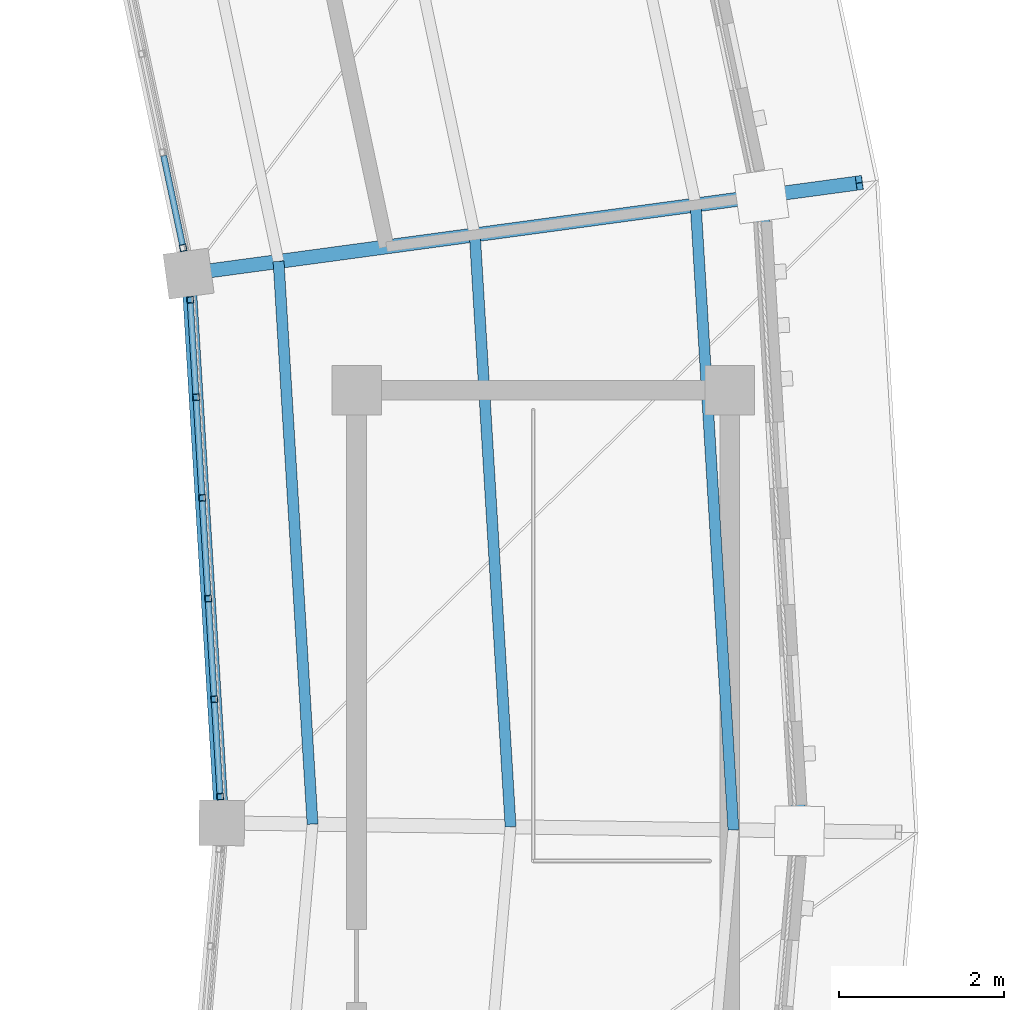
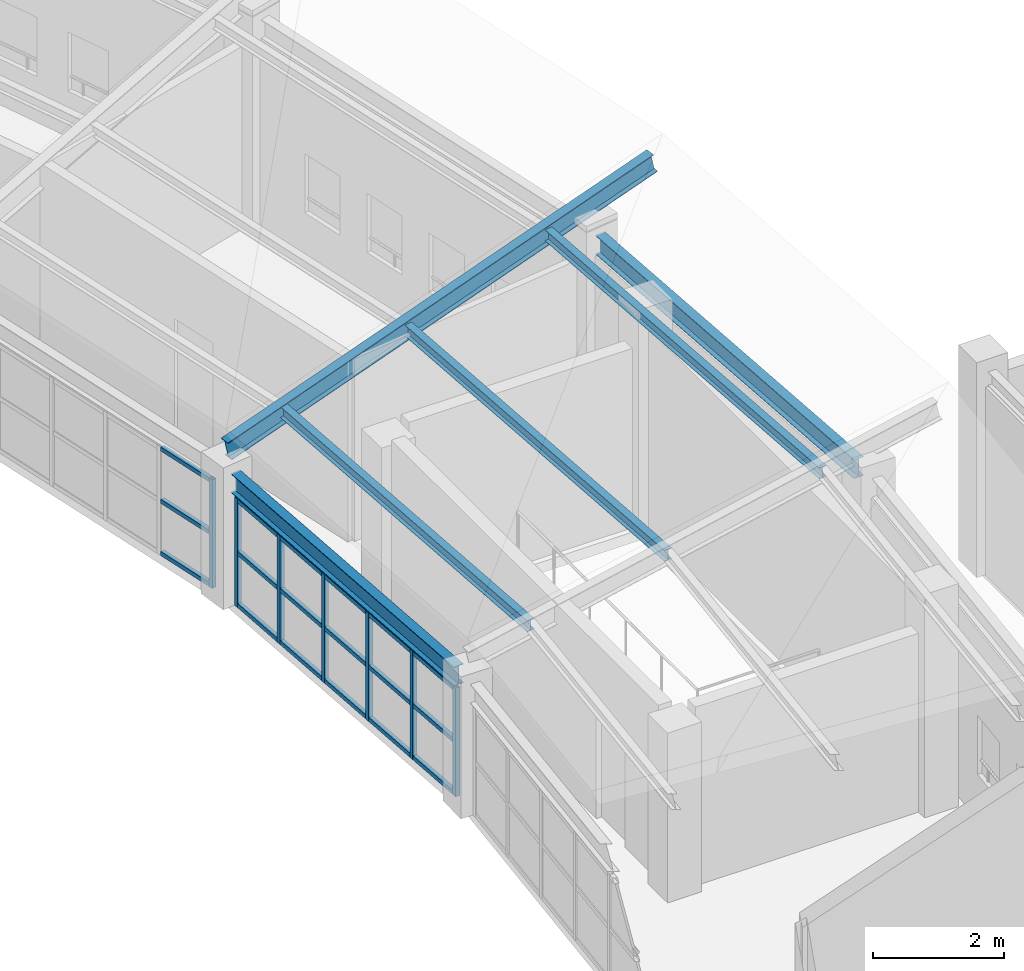
# One storey, part 94 of 149: 29 members, 2 beams, 2 elements without a shape of their own.
"""IFC4 building model written with IfcOpenShell, lengths in metres."""

from ifc_helpers import new_model, si_unit, direction, frame, origin, origin_2d, place, context, subcontext, project, spatial, hollow_rectangle, i_section, extrude, material, material_profile, profile_set, type_object, element, aggregate, save


model = new_model("IFC4")

# Units and contexts
model_context = context("Model", 3, precision=1e-05, world=origin(), true_north=direction((0.0, 1.0)))
body_context = subcontext(model_context, "Body", "Model", "MODEL_VIEW")
ifc_project = project(units=[si_unit("LENGTHUNIT", "METRE"), si_unit("AREAUNIT", "SQUARE_METRE"), si_unit("VOLUMEUNIT", "CUBIC_METRE"), si_unit("PLANEANGLEUNIT", "RADIAN"), si_unit("MASSUNIT", "GRAM", prefix="KILO")], contexts=[model_context])

# Site, building, storey
site_placement = place(None, origin())
site = spatial("IfcSite", under=ifc_project, at=site_placement, CompositionType="ELEMENT")
building_placement = place(site_placement, origin())
building = spatial("IfcBuilding", under=site, at=building_placement, Name="Celadon Cloister-Ring School", CompositionType="ELEMENT")
storey_placement = place(building_placement, frame((0.0, 0.0, 12.5)))
storey = spatial("IfcBuildingStorey", under=building, at=storey_placement, Name="L03", CompositionType="ELEMENT", Elevation=12.5)

# Curtain wall, members
ifc_material_1 = material(Name="Aluminium EN AW-6063 T6", Category="aluminium")
curtain_wall_type = type_object("IfcCurtainWallType", Name="CW-02", PredefinedType="USERDEFINED", material=ifc_material_1)
curtain_wall_1_placement = place(storey_placement, origin())
curtain_wall_1 = element("IfcCurtainWall", 1, at=curtain_wall_1_placement, inside=storey, type_object=curtain_wall_type, Name="Curtain Wall 0072", ObjectType="CURTAIN WALL", PredefinedType="USERDEFINED")
ifc_material_2 = material(Name="Aluminium EN AW-6063 T6", Category="aluminium")
ifc_material_profile_1 = material_profile(ifc_material_2, hollow_rectangle(XDim=0.080078125, YDim=0.080078125, WallThickness=0.00390625, at=origin_2d()), Name="RHS80X80X4")
ifc_profile_set_1 = profile_set([ifc_material_profile_1], Name="Aluminium EN AW-6063 T6")
member_type_1 = type_object("IfcMemberType", Name="CM-03", PredefinedType="MULLION", material=ifc_profile_set_1)
member_1_placement = place(storey_placement, frame((131.9765625, 58.696044921875, 0.0), z_axis=(0.0, 0.0, 1.0), x_axis=(-0.998184038846, -0.060238065975, 0.0)))
member_1 = element("IfcMember", 2, at=member_1_placement, type_object=member_type_1, Name="CW-02 mullion 1", PredefinedType="MULLION", context=body_context, shape_type="SweptSolid", body=[
    extrude(hollow_rectangle(XDim=0.080078125, YDim=0.080078125, WallThickness=0.00390625, at=origin_2d()), origin(), (0.0, 0.0, 1.0), 2.02001953125),
])
member_2_placement = place(storey_placement, frame((131.905517578125, 59.87548828125, 0.0), z_axis=(0.0, 0.0, 1.0), x_axis=(-0.998184038846, -0.060238065975, 0.0)))
member_2 = element("IfcMember", 3, at=member_2_placement, type_object=member_type_1, Name="CW-02 mullion 2", PredefinedType="MULLION", context=body_context, shape_type="SweptSolid", body=[
    extrude(hollow_rectangle(XDim=0.080078125, YDim=0.080078125, WallThickness=0.00390625, at=origin_2d()), origin(), (0.0, 0.0, 1.0), 2.02001953125),
])
member_3_placement = place(storey_placement, frame((131.831787109375, 61.09521484375, 0.0), z_axis=(0.0, 0.0, 1.0), x_axis=(-0.998184038846, -0.060238065975, 0.0)))
member_3 = element("IfcMember", 4, at=member_3_placement, type_object=member_type_1, Name="CW-02 mullion 3", PredefinedType="MULLION", context=body_context, shape_type="SweptSolid", body=[
    extrude(hollow_rectangle(XDim=0.080078125, YDim=0.080078125, WallThickness=0.00390625, at=origin_2d()), origin(), (0.0, 0.0, 1.0), 2.02001953125),
])
member_4_placement = place(storey_placement, frame((131.75830078125, 62.314697265625, 0.0), z_axis=(0.0, 0.0, 1.0), x_axis=(-0.998184038846, -0.060238065975, 0.0)))
member_4 = element("IfcMember", 5, at=member_4_placement, type_object=member_type_1, Name="CW-02 mullion 4", PredefinedType="MULLION", context=body_context, shape_type="SweptSolid", body=[
    extrude(hollow_rectangle(XDim=0.080078125, YDim=0.080078125, WallThickness=0.00390625, at=origin_2d()), origin(), (0.0, 0.0, 1.0), 2.02001953125),
])
member_5_placement = place(storey_placement, frame((131.6845703125, 63.534423828125, 0.0), z_axis=(0.0, 0.0, 1.0), x_axis=(-0.998184038846, -0.060238065975, 0.0)))
member_5 = element("IfcMember", 6, at=member_5_placement, type_object=member_type_1, Name="CW-02 mullion 5", PredefinedType="MULLION", context=body_context, shape_type="SweptSolid", body=[
    extrude(hollow_rectangle(XDim=0.080078125, YDim=0.080078125, WallThickness=0.00390625, at=origin_2d()), origin(), (0.0, 0.0, 1.0), 2.02001953125),
])
member_6_placement = place(storey_placement, frame((131.613525390625, 64.714111328125, 0.0), z_axis=(0.0, 0.0, 1.0), x_axis=(-0.998184038846, -0.060238065975, 0.0)))
member_6 = element("IfcMember", 7, at=member_6_placement, type_object=member_type_1, Name="CW-02 mullion 6", PredefinedType="MULLION", context=body_context, shape_type="SweptSolid", body=[
    extrude(hollow_rectangle(XDim=0.080078125, YDim=0.080078125, WallThickness=0.00390625, at=origin_2d()), origin(), (0.0, 0.0, 1.0), 2.02001953125),
])

# Curtain wall, member
curtain_wall_2_placement = place(storey_placement, origin())
curtain_wall_2 = element("IfcCurtainWall", 8, at=curtain_wall_2_placement, inside=storey, type_object=curtain_wall_type, Name="Curtain Wall 0073", ObjectType="CURTAIN WALL", PredefinedType="USERDEFINED")
member_7_placement = place(storey_placement, frame((131.52783203125, 65.34423828125, 0.0), z_axis=(0.0, 0.0, 1.0), x_axis=(-0.978328665626, -0.207058016061, 0.0)))
member_7 = element("IfcMember", 9, at=member_7_placement, type_object=member_type_1, Name="CW-02 mullion 1", PredefinedType="MULLION", context=body_context, shape_type="SweptSolid", body=[
    extrude(hollow_rectangle(XDim=0.080078125, YDim=0.080078125, WallThickness=0.00390625, at=origin_2d()), origin(), (0.0, 0.0, 1.0), 2.02001953125),
])

# Member
ifc_material_3 = material(Name="Aluminium EN AW-6063 T6", Category="aluminium")
ifc_material_profile_2 = material_profile(ifc_material_3, hollow_rectangle(XDim=0.074951171875, YDim=0.074951171875, WallThickness=0.00390625, at=origin_2d()), Name="RHS75X75X4")
ifc_profile_set_2 = profile_set([ifc_material_profile_2], Name="Aluminium EN AW-6063 T6")
member_type_2 = type_object("IfcMemberType", Name="CTM-03", PredefinedType="USERDEFINED", material=ifc_profile_set_2)
member_8_placement = place(storey_placement, frame((131.97412109375, 58.73583984375, 0.03759765625), z_axis=(-0.060267607887, 0.998182255622, 0.0), x_axis=(-0.998182255623, -0.060267607887, 0.0)))
member_8 = element("IfcMember", 10, at=member_8_placement, type_object=member_type_2, Name="CW-02 transom 1.1", ObjectType="TRANSOM", PredefinedType="USERDEFINED", context=body_context, shape_type="SweptSolid", body=[
    extrude(hollow_rectangle(XDim=0.074951171875, YDim=0.074951171875, WallThickness=0.00390625, at=origin_2d()), origin(), (0.0, 0.0, 1.0), 1.101806640625),
])

member_9_placement = place(storey_placement, frame((131.97412109375, 58.73583984375, 1.010009765625), z_axis=(-0.060267607887, 0.998182255622, 0.0), x_axis=(-0.998182255623, -0.060267607887, 0.0)))
member_9 = element("IfcMember", 11, at=member_9_placement, type_object=member_type_2, Name="CW-02 transom 1.2", ObjectType="TRANSOM", PredefinedType="USERDEFINED", context=body_context, shape_type="SweptSolid", body=[
    extrude(hollow_rectangle(XDim=0.074951171875, YDim=0.074951171875, WallThickness=0.00390625, at=origin_2d()), origin(), (0.0, 0.0, 1.0), 1.101806640625),
])

member_10_placement = place(storey_placement, frame((131.97412109375, 58.73583984375, 1.982421875), z_axis=(-0.060267607887, 0.998182255622, 0.0), x_axis=(-0.998182255623, -0.060267607887, 0.0)))
member_10 = element("IfcMember", 12, at=member_10_placement, type_object=member_type_2, Name="CW-02 transom 1.3", ObjectType="TRANSOM", PredefinedType="USERDEFINED", context=body_context, shape_type="SweptSolid", body=[
    extrude(hollow_rectangle(XDim=0.074951171875, YDim=0.074951171875, WallThickness=0.00390625, at=origin_2d()), origin(), (0.0, 0.0, 1.0), 1.101806640625),
])

member_11_placement = place(storey_placement, frame((131.903076171875, 59.91552734375, 0.03759765625), z_axis=(-0.060301375532, 0.998180216248, 0.0), x_axis=(-0.998180216248, -0.060301375532, 0.0)))
member_11 = element("IfcMember", 13, at=member_11_placement, type_object=member_type_2, Name="CW-02 transom 2.1", ObjectType="TRANSOM", PredefinedType="USERDEFINED", context=body_context, shape_type="SweptSolid", body=[
    extrude(hollow_rectangle(XDim=0.074951171875, YDim=0.074951171875, WallThickness=0.00390625, at=origin_2d()), origin(), (0.0, 0.0, 1.0), 1.141845703125),
])

member_12_placement = place(storey_placement, frame((131.903076171875, 59.91552734375, 1.010009765625), z_axis=(-0.060301375532, 0.998180216248, 0.0), x_axis=(-0.998180216248, -0.060301375532, 0.0)))
member_12 = element("IfcMember", 14, at=member_12_placement, type_object=member_type_2, Name="CW-02 transom 2.2", ObjectType="TRANSOM", PredefinedType="USERDEFINED", context=body_context, shape_type="SweptSolid", body=[
    extrude(hollow_rectangle(XDim=0.074951171875, YDim=0.074951171875, WallThickness=0.00390625, at=origin_2d()), origin(), (0.0, 0.0, 1.0), 1.141845703125),
])

member_13_placement = place(storey_placement, frame((131.903076171875, 59.91552734375, 1.982421875), z_axis=(-0.060301375532, 0.998180216248, 0.0), x_axis=(-0.998180216248, -0.060301375532, 0.0)))
member_13 = element("IfcMember", 15, at=member_13_placement, type_object=member_type_2, Name="CW-02 transom 2.3", ObjectType="TRANSOM", PredefinedType="USERDEFINED", context=body_context, shape_type="SweptSolid", body=[
    extrude(hollow_rectangle(XDim=0.074951171875, YDim=0.074951171875, WallThickness=0.00390625, at=origin_2d()), origin(), (0.0, 0.0, 1.0), 1.141845703125),
])

member_14_placement = place(storey_placement, frame((131.829345703125, 61.135009765625, 0.03759765625), z_axis=(-0.060288507214, 0.998180993557, 0.0), x_axis=(-0.998180993557, -0.060288507214, 0.0)))
member_14 = element("IfcMember", 16, at=member_14_placement, type_object=member_type_2, Name="CW-02 transom 3.1", ObjectType="TRANSOM", PredefinedType="USERDEFINED", context=body_context, shape_type="SweptSolid", body=[
    extrude(hollow_rectangle(XDim=0.074951171875, YDim=0.074951171875, WallThickness=0.00390625, at=origin_2d()), origin(), (0.0, 0.0, 1.0), 1.14208984375),
])

member_15_placement = place(storey_placement, frame((131.829345703125, 61.135009765625, 1.010009765625), z_axis=(-0.060288507214, 0.998180993557, 0.0), x_axis=(-0.998180993557, -0.060288507214, 0.0)))
member_15 = element("IfcMember", 17, at=member_15_placement, type_object=member_type_2, Name="CW-02 transom 3.2", ObjectType="TRANSOM", PredefinedType="USERDEFINED", context=body_context, shape_type="SweptSolid", body=[
    extrude(hollow_rectangle(XDim=0.074951171875, YDim=0.074951171875, WallThickness=0.00390625, at=origin_2d()), origin(), (0.0, 0.0, 1.0), 1.14208984375),
])

member_16_placement = place(storey_placement, frame((131.829345703125, 61.135009765625, 1.982421875), z_axis=(-0.060288507214, 0.998180993557, 0.0), x_axis=(-0.998180993557, -0.060288507214, 0.0)))
member_16 = element("IfcMember", 18, at=member_16_placement, type_object=member_type_2, Name="CW-02 transom 3.3", ObjectType="TRANSOM", PredefinedType="USERDEFINED", context=body_context, shape_type="SweptSolid", body=[
    extrude(hollow_rectangle(XDim=0.074951171875, YDim=0.074951171875, WallThickness=0.00390625, at=origin_2d()), origin(), (0.0, 0.0, 1.0), 1.14208984375),
])

member_17_placement = place(storey_placement, frame((131.755859375, 62.354736328125, 0.03759765625), z_axis=(-0.060301375532, 0.998180216248, 0.0), x_axis=(-0.998180216248, -0.060301375532, 0.0)))
member_17 = element("IfcMember", 19, at=member_17_placement, type_object=member_type_2, Name="CW-02 transom 4.1", ObjectType="TRANSOM", PredefinedType="USERDEFINED", context=body_context, shape_type="SweptSolid", body=[
    extrude(hollow_rectangle(XDim=0.074951171875, YDim=0.074951171875, WallThickness=0.00390625, at=origin_2d()), origin(), (0.0, 0.0, 1.0), 1.141845703125),
])

member_18_placement = place(storey_placement, frame((131.755859375, 62.354736328125, 1.010009765625), z_axis=(-0.060301375532, 0.998180216248, 0.0), x_axis=(-0.998180216248, -0.060301375532, 0.0)))
member_18 = element("IfcMember", 20, at=member_18_placement, type_object=member_type_2, Name="CW-02 transom 4.2", ObjectType="TRANSOM", PredefinedType="USERDEFINED", context=body_context, shape_type="SweptSolid", body=[
    extrude(hollow_rectangle(XDim=0.074951171875, YDim=0.074951171875, WallThickness=0.00390625, at=origin_2d()), origin(), (0.0, 0.0, 1.0), 1.141845703125),
])

member_19_placement = place(storey_placement, frame((131.755859375, 62.354736328125, 1.982421875), z_axis=(-0.060301375532, 0.998180216248, 0.0), x_axis=(-0.998180216248, -0.060301375532, 0.0)))
member_19 = element("IfcMember", 21, at=member_19_placement, type_object=member_type_2, Name="CW-02 transom 4.3", ObjectType="TRANSOM", PredefinedType="USERDEFINED", context=body_context, shape_type="SweptSolid", body=[
    extrude(hollow_rectangle(XDim=0.074951171875, YDim=0.074951171875, WallThickness=0.00390625, at=origin_2d()), origin(), (0.0, 0.0, 1.0), 1.141845703125),
])

member_20_placement = place(storey_placement, frame((131.68212890625, 63.57421875, 0.03759765625), z_axis=(-0.060267607887, 0.998182255622, 0.0), x_axis=(-0.998182255623, -0.060267607887, 0.0)))
member_20 = element("IfcMember", 22, at=member_20_placement, type_object=member_type_2, Name="CW-02 transom 5.1", ObjectType="TRANSOM", PredefinedType="USERDEFINED", context=body_context, shape_type="SweptSolid", body=[
    extrude(hollow_rectangle(XDim=0.074951171875, YDim=0.074951171875, WallThickness=0.00390625, at=origin_2d()), origin(), (0.0, 0.0, 1.0), 1.101806640625),
])

member_21_placement = place(storey_placement, frame((131.68212890625, 63.57421875, 1.010009765625), z_axis=(-0.060267607887, 0.998182255622, 0.0), x_axis=(-0.998182255623, -0.060267607887, 0.0)))
member_21 = element("IfcMember", 23, at=member_21_placement, type_object=member_type_2, Name="CW-02 transom 5.2", ObjectType="TRANSOM", PredefinedType="USERDEFINED", context=body_context, shape_type="SweptSolid", body=[
    extrude(hollow_rectangle(XDim=0.074951171875, YDim=0.074951171875, WallThickness=0.00390625, at=origin_2d()), origin(), (0.0, 0.0, 1.0), 1.101806640625),
])

member_22_placement = place(storey_placement, frame((131.68212890625, 63.57421875, 1.982421875), z_axis=(-0.060267607887, 0.998182255622, 0.0), x_axis=(-0.998182255623, -0.060267607887, 0.0)))
member_22 = element("IfcMember", 24, at=member_22_placement, type_object=member_type_2, Name="CW-02 transom 5.3", ObjectType="TRANSOM", PredefinedType="USERDEFINED", context=body_context, shape_type="SweptSolid", body=[
    extrude(hollow_rectangle(XDim=0.074951171875, YDim=0.074951171875, WallThickness=0.00390625, at=origin_2d()), origin(), (0.0, 0.0, 1.0), 1.101806640625),
])

aggregate(curtain_wall_1, [member_1, member_2, member_3, member_4, member_5, member_6, member_8, member_9, member_10, member_11, member_12, member_13, member_14, member_15, member_16, member_17, member_18, member_19, member_20, member_21, member_22])

member_23_placement = place(storey_placement, frame((131.51953125, 65.38330078125, 0.03759765625), z_axis=(-0.207182916925, 0.978302222697, 0.0), x_axis=(-0.978302222697, -0.207182916925, 0.0)))
member_23 = element("IfcMember", 25, at=member_23_placement, type_object=member_type_2, Name="CW-02 transom 1.1", ObjectType="TRANSOM", PredefinedType="USERDEFINED", context=body_context, shape_type="SweptSolid", body=[
    extrude(hollow_rectangle(XDim=0.074951171875, YDim=0.074951171875, WallThickness=0.00390625, at=origin_2d()), origin(), (0.0, 0.0, 1.0), 1.101806640625),
])

member_24_placement = place(storey_placement, frame((131.51953125, 65.38330078125, 1.010009765625), z_axis=(-0.207182916925, 0.978302222697, 0.0), x_axis=(-0.978302222697, -0.207182916925, 0.0)))
member_24 = element("IfcMember", 26, at=member_24_placement, type_object=member_type_2, Name="CW-02 transom 1.2", ObjectType="TRANSOM", PredefinedType="USERDEFINED", context=body_context, shape_type="SweptSolid", body=[
    extrude(hollow_rectangle(XDim=0.074951171875, YDim=0.074951171875, WallThickness=0.00390625, at=origin_2d()), origin(), (0.0, 0.0, 1.0), 1.101806640625),
])

member_25_placement = place(storey_placement, frame((131.51953125, 65.38330078125, 1.982421875), z_axis=(-0.207182916925, 0.978302222697, 0.0), x_axis=(-0.978302222697, -0.207182916925, 0.0)))
member_25 = element("IfcMember", 27, at=member_25_placement, type_object=member_type_2, Name="CW-02 transom 1.3", ObjectType="TRANSOM", PredefinedType="USERDEFINED", context=body_context, shape_type="SweptSolid", body=[
    extrude(hollow_rectangle(XDim=0.074951171875, YDim=0.074951171875, WallThickness=0.00390625, at=origin_2d()), origin(), (0.0, 0.0, 1.0), 1.101806640625),
])

aggregate(curtain_wall_2, [member_7, member_23, member_24, member_25])

# Beam
ifc_material_4 = material(Name="Structural steel S355JR", Category="steel")
ifc_material_profile_3 = material_profile(ifc_material_4, i_section(OverallWidth=0.1708984375, OverallDepth=0.35498046875, WebThickness=0.007080078125, FlangeThickness=0.01171875, at=origin_2d()), Name="W360X51")
ifc_profile_set_3 = profile_set([ifc_material_profile_3], Name="Structural steel S355JR")
beam_type_1 = type_object("IfcBeamType", Name="GT-08", PredefinedType="USERDEFINED", material=ifc_profile_set_3)
beam_1_placement = place(storey_placement, frame((131.98095703125, 58.6279296875, 2.27197265625), z_axis=(-0.060349198433, 0.998177326054, 0.0), x_axis=(-0.998177326054, -0.060349198433, 0.0)))
element("IfcBeam", 28, at=beam_1_placement, inside=storey, type_object=beam_type_1, Name="Beam 0578", ObjectType="GIRDER", PredefinedType="USERDEFINED", context=body_context, shape_type="SweptSolid", body=[
    extrude(i_section(OverallWidth=0.1708984375, OverallDepth=0.35498046875, WebThickness=0.007080078125, FlangeThickness=0.01171875, at=origin_2d()), origin(), (0.0, 0.0, 1.0), 6.165283203125),
])

# Members
ifc_material_5 = material(Name="Structural steel S355JR", Category="steel")
ifc_material_profile_4 = material_profile(ifc_material_5, i_section(OverallWidth=0.133056640625, OverallDepth=0.20703125, WebThickness=0.005859375, FlangeThickness=0.00830078125, at=origin_2d()), Name="W200X27")
ifc_profile_set_4 = profile_set([ifc_material_profile_4], Name="Structural steel S355JR")
member_type_3 = type_object("IfcMemberType", Name="MP-04", PredefinedType="PURLIN", material=ifc_profile_set_4)
member_26_placement = place(storey_placement, frame((133.095947265625, 58.363037109375, 2.970947265625), z_axis=(-0.060308334487, 0.998179795824, 0.0), x_axis=(-0.998179795824, -0.060308334487, 0.0)))
element("IfcMember", 29, at=member_26_placement, inside=storey, type_object=member_type_3, Name="Structural Member 0221", PredefinedType="PURLIN", context=body_context, shape_type="SweptSolid", body=[
    extrude(i_section(OverallWidth=0.133056640625, OverallDepth=0.20703125, WebThickness=0.005859375, FlangeThickness=0.00830078125, at=origin_2d()), origin(), (0.0, 0.0, 1.0), 6.829345703125),
])
member_27_placement = place(storey_placement, frame((135.4951171875, 58.330078125, 3.4599609375), z_axis=(-0.060279617206, 0.998181530459, 0.0), x_axis=(-0.998181530459, -0.060279617206, 0.0)))
element("IfcMember", 30, at=member_27_placement, inside=storey, type_object=member_type_3, Name="Structural Member 0222", PredefinedType="PURLIN", context=body_context, shape_type="SweptSolid", body=[
    extrude(i_section(OverallWidth=0.133056640625, OverallDepth=0.20703125, WebThickness=0.005859375, FlangeThickness=0.00830078125, at=origin_2d()), origin(), (0.0, 0.0, 1.0), 7.18505859375),
])
member_28_placement = place(storey_placement, frame((138.195068359375, 58.2919921875, 4.073974609375), z_axis=(-0.060248246671, 0.998183424413, 0.0), x_axis=(-0.998183424413, -0.060248246671, 0.0)))
element("IfcMember", 31, at=member_28_placement, inside=storey, type_object=member_type_3, Name="Structural Member 0223", PredefinedType="PURLIN", context=body_context, shape_type="SweptSolid", body=[
    extrude(i_section(OverallWidth=0.133056640625, OverallDepth=0.20703125, WebThickness=0.005859375, FlangeThickness=0.00830078125, at=origin_2d()), origin(), (0.0, 0.0, 1.0), 7.585693359375),
])
ifc_material_6 = material(Name="Structural steel S355JR", Category="steel")
ifc_material_profile_5 = material_profile(ifc_material_6, i_section(OverallWidth=0.1708984375, OverallDepth=0.35498046875, WebThickness=0.007080078125, FlangeThickness=0.01171875, at=origin_2d()), Name="W360X51")
ifc_profile_set_5 = profile_set([ifc_material_profile_5], Name="Structural steel S355JR")
member_type_4 = type_object("IfcMemberType", Name="MR-05", PredefinedType="RAFTER", material=ifc_profile_set_5)
member_29_placement = place(storey_placement, frame((131.593994140625, 65.031982421875, 2.72607421875), z_axis=(0.966538405091, 0.130850320074, 0.220639310236), x_axis=(-0.134156544938, 0.990960151293, 0.0)))
element("IfcMember", 32, at=member_29_placement, inside=storey, type_object=member_type_4, Name="Structural Member 0060", PredefinedType="RAFTER", context=body_context, shape_type="SweptSolid", body=[
    extrude(i_section(OverallWidth=0.1708984375, OverallDepth=0.35498046875, WebThickness=0.007080078125, FlangeThickness=0.01171875, at=origin_2d()), origin(), (0.0, 0.0, 1.0), 8.4072265625),
])

# Beam
ifc_material_7 = material(Name="Structural steel S355JR", Category="steel")
ifc_material_profile_6 = material_profile(ifc_material_7, i_section(OverallWidth=0.1708984375, OverallDepth=0.35498046875, WebThickness=0.007080078125, FlangeThickness=0.01171875, at=origin_2d()), Name="W360X51")
ifc_profile_set_6 = profile_set([ifc_material_profile_6], Name="Structural steel S355JR")
beam_type_2 = type_object("IfcBeamType", Name="SP-04", PredefinedType="SPANDREL", material=ifc_profile_set_6)
beam_2_placement = place(storey_placement, frame((138.97802734375, 58.555908203125, 3.722900390625), z_axis=(-0.060104502179, 0.99819209014, 0.0), x_axis=(-0.99819209014, -0.060104502179, 0.0)))
element("IfcBeam", 33, at=beam_2_placement, inside=storey, type_object=beam_type_2, Name="Beam 0577", PredefinedType="SPANDREL", context=body_context, shape_type="SweptSolid", body=[
    extrude(i_section(OverallWidth=0.1708984375, OverallDepth=0.35498046875, WebThickness=0.007080078125, FlangeThickness=0.01171875, at=origin_2d()), origin(), (0.0, 0.0, 1.0), 7.153076171875),
])

save(model, "model.ifc")
